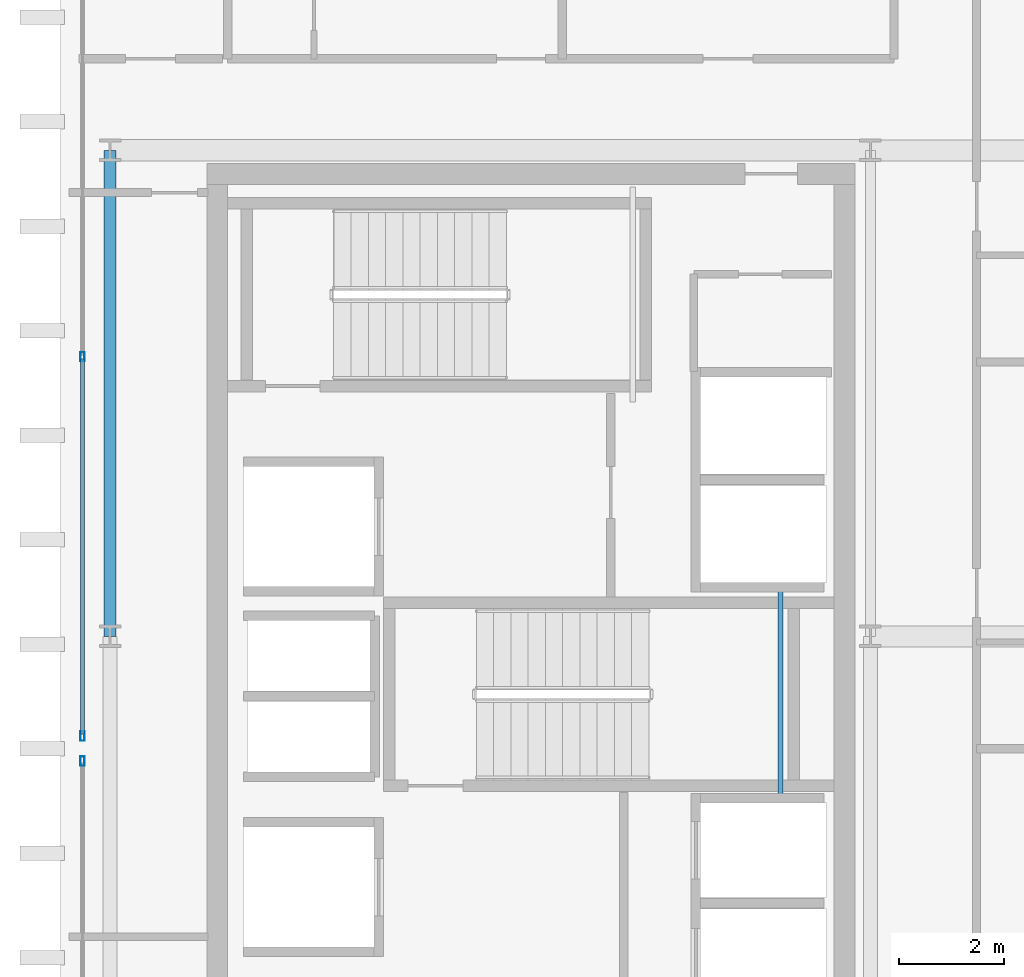
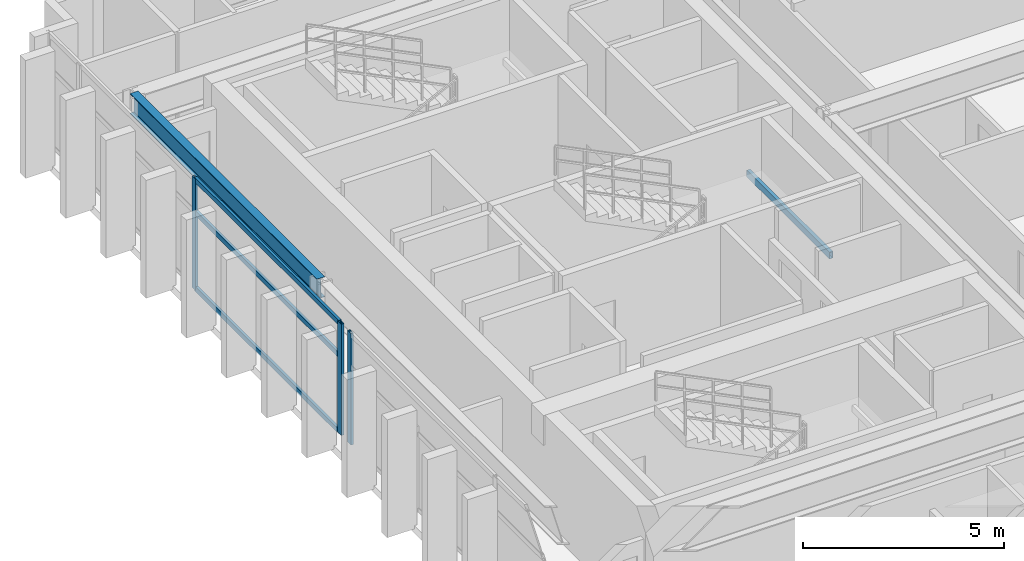
# One storey, part 6 of 15: 6 members, 2 beams, 2 elements without a shape of their own.
"""IFC4 building model written with IfcOpenShell, lengths in metres."""

from ifc_helpers import new_model, si_unit, direction, frame, origin, origin_2d, place, context, subcontext, project, spatial, hollow_rectangle, i_section, extrude, source, transform, mapped, material, layer, layer_set, material_profile, profile_set, type_object, element, aggregate, save


model = new_model("IFC4")

# Units and contexts
model_context = context("Model", 3, precision=1e-05, world=origin(), true_north=direction((0.0, 1.0)))
body_context = subcontext(model_context, "Body", "Model", "MODEL_VIEW")
ifc_project = project(units=[si_unit("LENGTHUNIT", "METRE"), si_unit("AREAUNIT", "SQUARE_METRE"), si_unit("VOLUMEUNIT", "CUBIC_METRE"), si_unit("PLANEANGLEUNIT", "RADIAN"), si_unit("MASSUNIT", "GRAM", prefix="KILO")], contexts=[model_context])

# Site, building, storey
site_placement = place(None, origin())
site = spatial("IfcSite", under=ifc_project, at=site_placement, CompositionType="ELEMENT")
building_placement = place(site_placement, origin())
building = spatial("IfcBuilding", under=site, at=building_placement, Name="Ocotamira Hotel", CompositionType="ELEMENT")
storey_placement = place(building_placement, frame((0.0, 0.0, 290.39990234375)))
storey = spatial("IfcBuildingStorey", under=building, at=storey_placement, Name="L74", CompositionType="ELEMENT", Elevation=290.39990234375)

# Beams
ifc_material_1 = material(Name="Steel ASTM A500 Grade C", Category="steel")
ifc_material_profile_1 = material_profile(ifc_material_1, hollow_rectangle(XDim=0.10009765625, YDim=0.199951171875, WallThickness=0.008056640625, at=origin_2d()), Name="HSS200X100X8")
ifc_profile_set_1 = profile_set([ifc_material_profile_1], Name="Steel ASTM A500 Grade C")
beam_type_1 = type_object("IfcBeamType", Name="BM-STLDG-HSS200", PredefinedType="BEAM", material=ifc_profile_set_1)
shared_shape_1 = source(origin(), body_context, "Body", "SweptSolid", [
    extrude(hollow_rectangle(XDim=0.10009765625, YDim=0.199951171875, WallThickness=0.008056640625, at=origin_2d()), origin(), (0.0, 0.0, 1.0), 4.1201171875),
])
beam_1_placement = place(storey_placement, frame((21.780029296875, 24.97998046875, 1.5), z_axis=(0.0, 1.0, 0.0), x_axis=(-1.0, 0.0, 0.0)))
element("IfcBeam", 1, at=beam_1_placement, inside=storey, type_object=beam_type_1, Name="L74 Stair ST-3 Landing Bearer 1", PredefinedType="BEAM", context=body_context, shape_type="MappedRepresentation", body=[
    mapped(shared_shape_1, transform((0.0, 0.0, 0.0), scale=1.0)),
])
ifc_material_2 = material(Name="Steel ASTM A992 Grade 50", Category="steel")
ifc_material_profile_2 = material_profile(ifc_material_2, i_section(OverallWidth=0.22998046875, OverallDepth=0.616943359375, WebThickness=0.01318359375, FlangeThickness=0.022216796875, FilletRadius=0.012939453125, at=origin_2d()), Name="W24X94")
ifc_profile_set_2 = profile_set([ifc_material_profile_2], Name="Steel ASTM A992 Grade 50")
beam_type_2 = type_object("IfcBeamType", Name="BM-PRIM-W24X94", PredefinedType="BEAM", material=ifc_profile_set_2)
shared_shape_2 = source(origin(), body_context, "Body", "SweptSolid", [
    extrude(i_section(OverallWidth=0.22998046875, OverallDepth=0.616943359375, WebThickness=0.01318359375, FlangeThickness=0.022216796875, FilletRadius=0.012939453125, at=origin_2d()), origin(), (0.0, 0.0, 1.0), 9.300048828125),
])
beam_2_placement = place(storey_placement, frame((8.949951171875, 28.14990234375, 3.071533203125), z_axis=(0.0, 1.0, 0.0), x_axis=(-1.0, 0.0, 0.0)))
element("IfcBeam", 2, at=beam_2_placement, inside=storey, type_object=beam_type_2, Name="L74 Beam X8.95 Y28.15-37.45", PredefinedType="BEAM", context=body_context, shape_type="MappedRepresentation", body=[
    mapped(shared_shape_2, transform((0.0, 0.0, 0.0), scale=1.0)),
])

# Curtain wall, member
ifc_material_3 = material(Name="Anodised pale-metal aluminium and solar glass", Category="aluminium")
ifc_layer = layer(ifc_material_3, 0.2099609375)
ifc_layer_set = layer_set([ifc_layer], Name="Anodised pale-metal aluminium and solar glass")
curtain_wall_type = type_object("IfcCurtainWallType", Name="CW-SYS7-PEAK", PredefinedType="NOTDEFINED", material=ifc_layer_set)
curtain_wall_1_placement = place(storey_placement, origin())
curtain_wall_1 = element("IfcCurtainWall", 3, at=curtain_wall_1_placement, inside=storey, type_object=curtain_wall_type, Name="L74 Curtain Wall CW-7 CW-L74-W1", PredefinedType="NOTDEFINED")
ifc_material_4 = material(Name="Anodised pale-metal aluminium 6063-T6", Category="aluminium")
ifc_material_profile_3 = material_profile(ifc_material_4, hollow_rectangle(XDim=0.080078125, YDim=0.179931640625, WallThickness=0.006103515625, at=origin_2d()), Name="HSS180X80X6")
ifc_profile_set_3 = profile_set([ifc_material_profile_3], Name="Anodised pale-metal aluminium 6063-T6")
member_type_1 = type_object("IfcMemberType", Name="CWM-180X75", PredefinedType="MULLION", material=ifc_profile_set_3)
shared_shape_3 = source(origin(), body_context, "Body", "SweptSolid", [
    extrude(hollow_rectangle(XDim=0.080078125, YDim=0.179931640625, WallThickness=0.006103515625, at=origin_2d()), origin(), (0.0, 0.0, 1.0), 3.380126953125),
])
member_1_placement = place(storey_placement, frame((8.419921875, 25.760009765625, 0.0), z_axis=(0.0, 0.0, 1.0), x_axis=(-1.0, 0.0, 0.0)))
member_1 = element("IfcMember", 4, at=member_1_placement, type_object=member_type_1, Name="CW-7 mullion 3", PredefinedType="MULLION", context=body_context, shape_type="MappedRepresentation", body=[
    mapped(shared_shape_3, transform((0.0, 0.0, 0.0), scale=1.0)),
])
aggregate(curtain_wall_1, [member_1])

# Curtain wall, members
curtain_wall_2_placement = place(storey_placement, origin())
curtain_wall_2 = element("IfcCurtainWall", 5, at=curtain_wall_2_placement, inside=storey, type_object=curtain_wall_type, Name="L74 Curtain Wall CW-7 CW-L74-W2", PredefinedType="NOTDEFINED")
member_2_placement = place(storey_placement, frame((8.419921875, 26.239990234375, 0.0), z_axis=(0.0, 0.0, 1.0), x_axis=(-1.0, 0.0, 0.0)))
member_2 = element("IfcMember", 6, at=member_2_placement, type_object=member_type_1, Name="CW-7 mullion 1", PredefinedType="MULLION", context=body_context, shape_type="MappedRepresentation", body=[
    mapped(shared_shape_3, transform((0.0, 0.0, 0.0), scale=1.0)),
])
member_3_placement = place(storey_placement, frame((8.419921875, 33.5, 0.0), z_axis=(0.0, 0.0, 1.0), x_axis=(-1.0, 0.0, 0.0)))
member_3 = element("IfcMember", 7, at=member_3_placement, type_object=member_type_1, Name="CW-7 mullion 2", PredefinedType="MULLION", context=body_context, shape_type="MappedRepresentation", body=[
    mapped(shared_shape_3, transform((0.0, 0.0, 0.0), scale=1.0)),
])
ifc_material_profile_4 = material_profile(ifc_material_4, hollow_rectangle(XDim=0.074951171875, YDim=0.14990234375, WallThickness=0.006103515625, at=origin_2d()), Name="HSS150X75X6")
ifc_profile_set_4 = profile_set([ifc_material_profile_4], Name="Anodised pale-metal aluminium 6063-T6")
member_type_2 = type_object("IfcMemberType", Name="CWT-150X75", PredefinedType="USERDEFINED", material=ifc_profile_set_4)
shared_shape_4 = source(origin(), body_context, "Body", "SweptSolid", [
    extrude(hollow_rectangle(XDim=0.074951171875, YDim=0.14990234375, WallThickness=0.006103515625, at=origin_2d()), origin(), (0.0, 0.0, 1.0), 7.179931640625),
])
member_4_placement = place(storey_placement, frame((8.419921875, 26.280029296875, 0.03759765625), z_axis=(0.0, 1.0, 0.0), x_axis=(-1.0, 0.0, 0.0)))
member_4 = element("IfcMember", 8, at=member_4_placement, type_object=member_type_2, Name="CW-7 transom 1.1", ObjectType="TRANSOM", PredefinedType="USERDEFINED", context=body_context, shape_type="MappedRepresentation", body=[
    mapped(shared_shape_4, transform((0.0, 0.0, 0.0), scale=1.0)),
])
member_5_placement = place(storey_placement, frame((8.419921875, 26.280029296875, 2.35009765625), z_axis=(0.0, 1.0, 0.0), x_axis=(-1.0, 0.0, 0.0)))
member_5 = element("IfcMember", 9, at=member_5_placement, type_object=member_type_2, Name="CW-7 transom 1.2", ObjectType="TRANSOM", PredefinedType="USERDEFINED", context=body_context, shape_type="MappedRepresentation", body=[
    mapped(shared_shape_4, transform((0.0, 0.0, 0.0), scale=1.0)),
])
member_6_placement = place(storey_placement, frame((8.419921875, 26.280029296875, 3.342529296875), z_axis=(0.0, 1.0, 0.0), x_axis=(-1.0, 0.0, 0.0)))
member_6 = element("IfcMember", 10, at=member_6_placement, type_object=member_type_2, Name="CW-7 transom 1.3", ObjectType="TRANSOM", PredefinedType="USERDEFINED", context=body_context, shape_type="MappedRepresentation", body=[
    mapped(shared_shape_4, transform((0.0, 0.0, 0.0), scale=1.0)),
])
aggregate(curtain_wall_2, [member_2, member_3, member_4, member_5, member_6])

save(model, "model.ifc")
